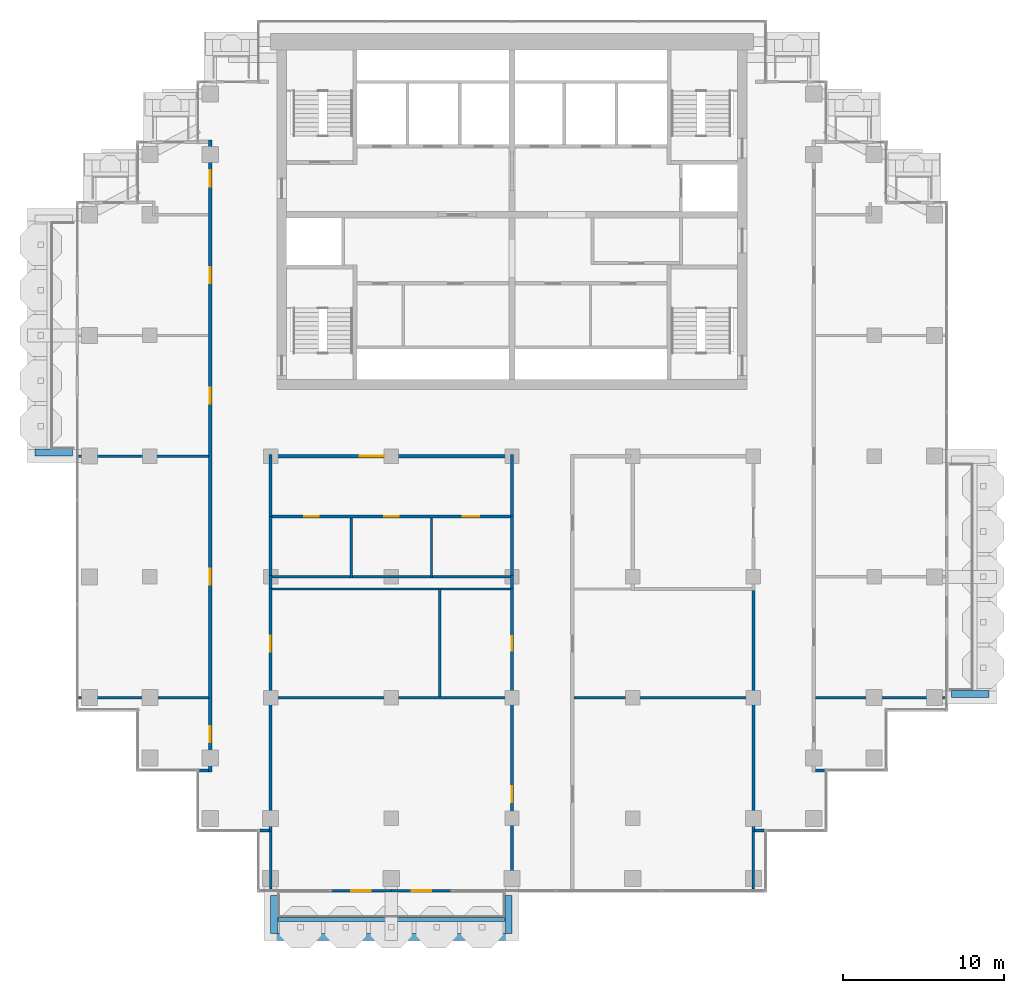
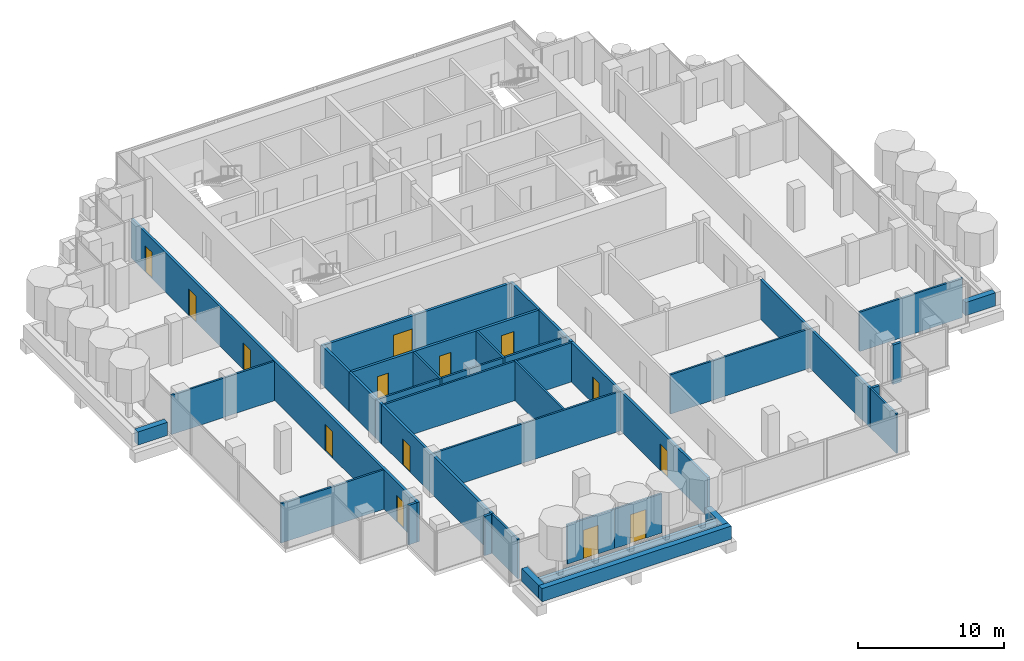
# One storey, part 11 of 18: 39 walls, 14 doors, 14 openings.
"""IFC4 building model written with IfcOpenShell, lengths in metres."""

from ifc_helpers import new_model, si_unit, direction, frame, frame_2d, origin, place, context, subcontext, project, spatial, rectangle, extrude, material, layer, layer_set, type_object, element, fill, save


model = new_model("IFC4")

# Units and contexts
model_context = context("Model", 3, precision=1e-05, world=origin(), true_north=direction((0.0, 1.0)))
body_context = subcontext(model_context, "Body", "Model", "MODEL_VIEW")
ifc_project = project(units=[si_unit("LENGTHUNIT", "METRE"), si_unit("AREAUNIT", "SQUARE_METRE"), si_unit("VOLUMEUNIT", "CUBIC_METRE"), si_unit("PLANEANGLEUNIT", "RADIAN"), si_unit("MASSUNIT", "GRAM", prefix="KILO")], contexts=[model_context])

# Site, building, storey
site_placement = place(None, origin())
site = spatial("IfcSite", under=ifc_project, at=site_placement, CompositionType="ELEMENT")
building_placement = place(site_placement, origin())
building = spatial("IfcBuilding", under=site, at=building_placement, Name="Pilkhan Gate Tower", CompositionType="ELEMENT")
storey_placement = place(building_placement, frame((0.0, 0.0, 199.5)))
storey = spatial("IfcBuildingStorey", under=building, at=storey_placement, Name="L51", CompositionType="ELEMENT", Elevation=199.5)

# Walls
ifc_material_1 = material(Name="Concrete C40/50", Category="concrete")
ifc_layer_1 = layer(ifc_material_1, 0.25)
ifc_layer_set_1 = layer_set([ifc_layer_1], Name="Balcony planter BP250")
wall_type_1 = type_object("IfcWallType", Name="Balcony planter BP250", PredefinedType="USERDEFINED", material=ifc_layer_set_1)
wall_1_placement = place(storey_placement, frame((60.449951171875, 38.72509765625, 0.0), z_axis=(0.0, 0.0, 1.0), x_axis=(1.0, 0.0, 0.0)))
element("IfcWall", 1, at=wall_1_placement, inside=storey, type_object=wall_type_1, Name="Balcony planter L51 S", ObjectType="BALCONY PLANTER", PredefinedType="USERDEFINED", context=body_context, shape_type="SweptSolid", body=[
    extrude(rectangle(XDim=14.10009765625, YDim=0.25, at=frame_2d((7.050048828125, 0.0))), origin(), (0.0, 0.0, 1.0), 1.0),
])
ifc_material_2 = material(Name="Board-marked Concrete C40/50", Category="concrete")
ifc_layer_2 = layer(ifc_material_2, 0.449951171875)
ifc_layer_set_2 = layer_set([ifc_layer_2], Name="Balcony planter lip BL450")
wall_type_2 = type_object("IfcWallType", Name="Balcony planter lip BL450", PredefinedType="USERDEFINED", material=ifc_layer_set_2)
wall_2_placement = place(storey_placement, frame((60.0, 37.625, 0.0), z_axis=(0.0, 0.0, 1.0), x_axis=(1.0, 0.0, 0.0)))
element("IfcWall", 2, at=wall_2_placement, inside=storey, type_object=wall_type_2, Name="Balcony planter L51 S", ObjectType="BALCONY PLANTER", PredefinedType="USERDEFINED", context=body_context, shape_type="SweptSolid", body=[
    extrude(rectangle(XDim=15.0, YDim=0.449951171875, at=frame_2d((7.5, 0.0))), origin(), (0.0, 0.0, 1.0), 1.10009765625),
])
for number, where, z_axis, x_axis, name in (
    (3, (60.22509765625, 40.199951171875, 0.0), (0.0, 0.0, 1.0), (0.0, -1.0, 0.0), "Balcony planter L51 S"),
    (4, (74.77490234375, 40.199951171875, 0.0), (0.0, 0.0, 1.0), (0.0, -1.0, 0.0), "Balcony planter L51 S"),
    (5, (102.300048828125, 52.72509765625, 0.0), (0.0, 0.0, 1.0), (1.0, 0.0, 0.0), "Balcony planter L51 E"),
    (6, (47.699951171875, 67.72509765625, 0.0), (0.0, 0.0, 1.0), (-1.0, 0.0, 0.0), "Balcony planter L51 W"),
):
    element("IfcWall", number, at=place(storey_placement, frame(where, z_axis=z_axis, x_axis=x_axis)), inside=storey, type_object=wall_type_2, Name=name, ObjectType="BALCONY PLANTER", PredefinedType="USERDEFINED", context=body_context, shape_type="SweptSolid", body=[
        extrude(rectangle(XDim=2.349853515625, YDim=0.449951171875, at=frame_2d((1.1748046875, 0.0))), origin(), (0.0, 0.0, 1.0), 1.10009765625),
    ])
ifc_material_3 = material(Name="Dense blockwork", Category="masonry")
ifc_layer_3 = layer(ifc_material_3, 0.199951171875)
ifc_layer_set_3 = layer_set([ifc_layer_3], Name="Corridor wall FW200")
wall_type_3 = type_object("IfcWallType", Name="Corridor wall FW200", PredefinedType="PARTITIONING", material=ifc_layer_set_3)
for number, where, z_axis, x_axis, name in (
    (7, (59.35498046875, 44.235107421875, 0.0), (0.0, 0.0, 1.0), (1.0, 0.0, 0.0), "Partition L51"),
    (8, (90.10009765625, 44.235107421875, 0.0), (0.0, 0.0, 1.0), (1.0, 0.0, 0.0), "Partition L51"),
):
    element("IfcWall", number, at=place(storey_placement, frame(where, z_axis=z_axis, x_axis=x_axis)), inside=storey, type_object=wall_type_3, Name=name, PredefinedType="PARTITIONING", context=body_context, shape_type="SweptSolid", body=[
        extrude(rectangle(XDim=0.544921875, YDim=0.199951171875, at=frame_2d((0.2724609375, 0.0))), origin(), (0.0, 0.0, 1.0), 3.300048828125),
    ])
for number, where, z_axis, x_axis, name in (
    (9, (55.485107421875, 47.969970703125, 0.0), (0.0, 0.0, 1.0), (1.0, 0.0, 0.0), "Partition L51"),
    (10, (93.85009765625, 47.969970703125, 0.0), (0.0, 0.0, 1.0), (1.0, 0.0, 0.0), "Partition L51"),
):
    element("IfcWall", number, at=place(storey_placement, frame(where, z_axis=z_axis, x_axis=x_axis)), inside=storey, type_object=wall_type_3, Name=name, PredefinedType="PARTITIONING", context=body_context, shape_type="SweptSolid", body=[
        extrude(rectangle(XDim=0.664794921875, YDim=0.199951171875, at=frame_2d((0.33251953125, 0.0))), origin(), (0.0, 0.0, 1.0), 3.300048828125),
    ])

# Wall, openings, doors
wall_3_placement = place(storey_placement, frame((56.25, 47.8701171875, 0.0), z_axis=(0.0, 0.0, 1.0), x_axis=(0.0, 1.0, 0.0)))
wall_3 = element("IfcWall", 11, at=wall_3_placement, inside=storey, type_object=wall_type_3, Name="Partition L51", PredefinedType="PARTITIONING", context=body_context, shape_type="SweptSolid", body=[
    extrude(rectangle(XDim=39.259765625, YDim=0.199951171875, at=frame_2d((19.6298828125, 0.0))), origin(), (0.0, 0.0, 1.0), 3.300048828125),
])
opening_1_placement = place(wall_3_placement, frame((1.85009765625, 0.0, 0.0)))
opening_1 = element("IfcOpeningElement", 12, at=opening_1_placement, cuts=wall_3, Name="Opening L51-24", PredefinedType="OPENING", context=body_context, shape_type="SweptSolid", body=[
    extrude(rectangle(XDim=1.0, YDim=2.199951171875, at=frame_2d((0.5, 1.10009765625))), frame((0.0, 0.10986328125, 0.0), z_axis=(0.0, -1.0, 0.0), x_axis=(1.0, 0.0, 0.0)), (0.0, 0.0, 1.0), 0.219970703125),
])
opening_2_placement = place(wall_3_placement, frame((11.6298828125, 0.0, 0.0)))
opening_2 = element("IfcOpeningElement", 13, at=opening_2_placement, cuts=wall_3, Name="Opening L51-25", PredefinedType="OPENING", context=body_context, shape_type="SweptSolid", body=[
    extrude(rectangle(XDim=1.0, YDim=2.199951171875, at=frame_2d((0.5, 1.10009765625))), frame((0.0, 0.10986328125, 0.0), z_axis=(0.0, -1.0, 0.0), x_axis=(1.0, 0.0, 0.0)), (0.0, 0.0, 1.0), 0.219970703125),
])
opening_3_placement = place(wall_3_placement, frame((22.8798828125, 0.0, 0.0)))
opening_3 = element("IfcOpeningElement", 14, at=opening_3_placement, cuts=wall_3, Name="Opening L51-26", PredefinedType="OPENING", context=body_context, shape_type="SweptSolid", body=[
    extrude(rectangle(XDim=1.0, YDim=2.199951171875, at=frame_2d((0.5, 1.10009765625))), frame((0.0, 0.10986328125, 0.0), z_axis=(0.0, -1.0, 0.0), x_axis=(1.0, 0.0, 0.0)), (0.0, 0.0, 1.0), 0.219970703125),
])
opening_4_placement = place(wall_3_placement, frame((30.3798828125, 0.0, 0.0)))
opening_4 = element("IfcOpeningElement", 15, at=opening_4_placement, cuts=wall_3, Name="Opening L51-30", PredefinedType="OPENING", context=body_context, shape_type="SweptSolid", body=[
    extrude(rectangle(XDim=1.0, YDim=2.199951171875, at=frame_2d((0.5, 1.10009765625))), frame((0.0, 0.10986328125, 0.0), z_axis=(0.0, -1.0, 0.0), x_axis=(1.0, 0.0, 0.0)), (0.0, 0.0, 1.0), 0.219970703125),
])
opening_5_placement = place(wall_3_placement, frame((36.3798828125, 0.0, 0.0)))
opening_5 = element("IfcOpeningElement", 16, at=opening_5_placement, cuts=wall_3, Name="Opening L51-31", PredefinedType="OPENING", context=body_context, shape_type="SweptSolid", body=[
    extrude(rectangle(XDim=1.0, YDim=2.199951171875, at=frame_2d((0.5, 1.10009765625))), frame((0.0, 0.10986328125, 0.0), z_axis=(0.0, -1.0, 0.0), x_axis=(1.0, 0.0, 0.0)), (0.0, 0.0, 1.0), 0.219970703125),
])
ifc_material_4 = material(Name="Timber flush door, 30 minute fire resisting", Category="wood")
door_type_1 = type_object("IfcDoorType", Name="Room door D03 1000x2200", OperationType="SINGLE_SWING_LEFT", PredefinedType="DOOR", material=ifc_material_4)
door_1_placement = place(opening_1_placement, origin())
door_1 = element("IfcDoor", 17, at=door_1_placement, inside=storey, type_object=door_type_1, Name="Room door", OperationType="SINGLE_SWING_LEFT", OverallHeight=2.199951171875, OverallWidth=1.0, PredefinedType="DOOR", context=body_context, shape_type="SweptSolid", body=[
    extrude(rectangle(XDim=1.0, YDim=2.199951171875, at=frame_2d((0.5, 1.10009765625))), frame((0.0, 0.02490234375, 0.0), z_axis=(0.0, -1.0, 0.0), x_axis=(1.0, 0.0, 0.0)), (0.0, 0.0, 1.0), 0.050048828125),
])
fill(opening_1, door_1)
door_2_placement = place(opening_2_placement, origin())
door_2 = element("IfcDoor", 18, at=door_2_placement, inside=storey, type_object=door_type_1, Name="Room door", OperationType="SINGLE_SWING_LEFT", OverallHeight=2.199951171875, OverallWidth=1.0, PredefinedType="DOOR", context=body_context, shape_type="SweptSolid", body=[
    extrude(rectangle(XDim=1.0, YDim=2.199951171875, at=frame_2d((0.5, 1.10009765625))), frame((0.0, 0.02490234375, 0.0), z_axis=(0.0, -1.0, 0.0), x_axis=(1.0, 0.0, 0.0)), (0.0, 0.0, 1.0), 0.050048828125),
])
fill(opening_2, door_2)
door_3_placement = place(opening_3_placement, origin())
door_3 = element("IfcDoor", 19, at=door_3_placement, inside=storey, type_object=door_type_1, Name="Room door", OperationType="SINGLE_SWING_LEFT", OverallHeight=2.199951171875, OverallWidth=1.0, PredefinedType="DOOR", context=body_context, shape_type="SweptSolid", body=[
    extrude(rectangle(XDim=1.0, YDim=2.199951171875, at=frame_2d((0.5, 1.10009765625))), frame((0.0, 0.02490234375, 0.0), z_axis=(0.0, -1.0, 0.0), x_axis=(1.0, 0.0, 0.0)), (0.0, 0.0, 1.0), 0.050048828125),
])
fill(opening_3, door_3)
door_4_placement = place(opening_4_placement, origin())
door_4 = element("IfcDoor", 20, at=door_4_placement, inside=storey, type_object=door_type_1, Name="Room door", OperationType="SINGLE_SWING_LEFT", OverallHeight=2.199951171875, OverallWidth=1.0, PredefinedType="DOOR", context=body_context, shape_type="SweptSolid", body=[
    extrude(rectangle(XDim=1.0, YDim=2.199951171875, at=frame_2d((0.5, 1.10009765625))), frame((0.0, 0.02490234375, 0.0), z_axis=(0.0, -1.0, 0.0), x_axis=(1.0, 0.0, 0.0)), (0.0, 0.0, 1.0), 0.050048828125),
])
fill(opening_4, door_4)
door_5_placement = place(opening_5_placement, origin())
door_5 = element("IfcDoor", 21, at=door_5_placement, inside=storey, type_object=door_type_1, Name="Room door", OperationType="SINGLE_SWING_LEFT", OverallHeight=2.199951171875, OverallWidth=1.0, PredefinedType="DOOR", context=body_context, shape_type="SweptSolid", body=[
    extrude(rectangle(XDim=1.0, YDim=2.199951171875, at=frame_2d((0.5, 1.10009765625))), frame((0.0, 0.02490234375, 0.0), z_axis=(0.0, -1.0, 0.0), x_axis=(1.0, 0.0, 0.0)), (0.0, 0.0, 1.0), 0.050048828125),
])
fill(opening_5, door_5)

# Wall, opening, door
wall_4_placement = place(storey_placement, frame((60.0, 44.135009765625, 0.0), z_axis=(0.0, 0.0, 1.0), x_axis=(0.0, 1.0, 0.0)))
wall_4 = element("IfcWall", 22, at=wall_4_placement, inside=storey, type_object=wall_type_3, Name="Partition L51", PredefinedType="PARTITIONING", context=body_context, shape_type="SweptSolid", body=[
    extrude(rectangle(XDim=15.18994140625, YDim=0.199951171875, at=frame_2d((7.594970703125, 0.0))), origin(), (0.0, 0.0, 1.0), 3.300048828125),
])
opening_6_placement = place(wall_4_placement, frame((11.215087890625, 0.0, 0.0)))
opening_6 = element("IfcOpeningElement", 23, at=opening_6_placement, cuts=wall_4, Name="Opening L51-18", PredefinedType="OPENING", context=body_context, shape_type="SweptSolid", body=[
    extrude(rectangle(XDim=1.0, YDim=2.199951171875, at=frame_2d((0.5, 1.10009765625))), frame((0.0, 0.10986328125, 0.0), z_axis=(0.0, -1.0, 0.0), x_axis=(1.0, 0.0, 0.0)), (0.0, 0.0, 1.0), 0.219970703125),
])
door_6_placement = place(opening_6_placement, origin())
door_6 = element("IfcDoor", 24, at=door_6_placement, inside=storey, type_object=door_type_1, Name="Room door", OperationType="SINGLE_SWING_RIGHT", OverallHeight=2.199951171875, OverallWidth=1.0, PredefinedType="DOOR", context=body_context, shape_type="SweptSolid", body=[
    extrude(rectangle(XDim=1.0, YDim=2.199951171875, at=frame_2d((0.5, 1.10009765625))), frame((0.0, 0.02490234375, 0.0), z_axis=(0.0, -1.0, 0.0), x_axis=(1.0, 0.0, 0.0)), (0.0, 0.0, 1.0), 0.050048828125),
])
fill(opening_6, door_6)

# Walls
wall_5_placement = place(storey_placement, frame((60.0, 59.280029296875, 0.0), z_axis=(0.0, 0.0, 1.0), x_axis=(0.0, 1.0, 0.0)))
element("IfcWall", 25, at=wall_5_placement, inside=storey, type_object=wall_type_3, Name="Partition L51", PredefinedType="PARTITIONING", context=body_context, shape_type="SweptSolid", body=[
    extrude(rectangle(XDim=0.794921875, YDim=0.199951171875, at=frame_2d((0.3974609375, 0.0))), origin(), (0.0, 0.0, 1.0), 3.300048828125),
])
wall_6_placement = place(storey_placement, frame((60.0, 60.0, 0.0), z_axis=(0.0, 0.0, 1.0), x_axis=(0.0, 1.0, 0.0)))
element("IfcWall", 26, at=wall_6_placement, inside=storey, type_object=wall_type_3, Name="Partition L51", PredefinedType="PARTITIONING", context=body_context, shape_type="SweptSolid", body=[
    extrude(rectangle(XDim=3.75, YDim=0.199951171875, at=frame_2d((1.875, 0.0))), origin(), (0.0, 0.0, 1.0), 3.300048828125),
])

# Wall, openings, doors
wall_7_placement = place(storey_placement, frame((75.0, 40.485107421875, 0.0), z_axis=(0.0, 0.0, 1.0), x_axis=(0.0, 1.0, 0.0)))
wall_7 = element("IfcWall", 27, at=wall_7_placement, inside=storey, type_object=wall_type_3, Name="Partition L51", PredefinedType="PARTITIONING", context=body_context, shape_type="SweptSolid", body=[
    extrude(rectangle(XDim=18.83984375, YDim=0.199951171875, at=frame_2d((9.419921875, 0.0))), origin(), (0.0, 0.0, 1.0), 3.300048828125),
])
opening_7_placement = place(wall_7_placement, frame((5.5, 0.0, 0.0)))
opening_7 = element("IfcOpeningElement", 28, at=opening_7_placement, cuts=wall_7, Name="Opening L51-17", PredefinedType="OPENING", context=body_context, shape_type="SweptSolid", body=[
    extrude(rectangle(XDim=1.0, YDim=2.199951171875, at=frame_2d((0.5, 1.10009765625))), frame((0.0, 0.10986328125, 0.0), z_axis=(0.0, -1.0, 0.0), x_axis=(1.0, 0.0, 0.0)), (0.0, 0.0, 1.0), 0.219970703125),
])
opening_8_placement = place(wall_7_placement, frame((14.9150390625, 0.0, 0.0)))
opening_8 = element("IfcOpeningElement", 29, at=opening_8_placement, cuts=wall_7, Name="Opening L51-19", PredefinedType="OPENING", context=body_context, shape_type="SweptSolid", body=[
    extrude(rectangle(XDim=0.89990234375, YDim=2.199951171875, at=frame_2d((0.449951171875, 1.10009765625))), frame((0.0, 0.10986328125, 0.0), z_axis=(0.0, -1.0, 0.0), x_axis=(1.0, 0.0, 0.0)), (0.0, 0.0, 1.0), 0.219970703125),
])
door_7_placement = place(opening_7_placement, origin())
door_7 = element("IfcDoor", 30, at=door_7_placement, inside=storey, type_object=door_type_1, Name="Room door", OperationType="SINGLE_SWING_LEFT", OverallHeight=2.199951171875, OverallWidth=1.0, PredefinedType="DOOR", context=body_context, shape_type="SweptSolid", body=[
    extrude(rectangle(XDim=1.0, YDim=2.199951171875, at=frame_2d((0.5, 1.10009765625))), frame((0.0, 0.02490234375, 0.0), z_axis=(0.0, -1.0, 0.0), x_axis=(1.0, 0.0, 0.0)), (0.0, 0.0, 1.0), 0.050048828125),
])
fill(opening_7, door_7)
ifc_material_5 = material(Name="Timber flush door, 60 minute fire resisting, self-closing", Category="wood")
door_type_2 = type_object("IfcDoorType", Name="Store door D05 900x2200", OperationType="SINGLE_SWING_LEFT", PredefinedType="DOOR", material=ifc_material_5)
door_8_placement = place(opening_8_placement, origin())
door_8 = element("IfcDoor", 31, at=door_8_placement, inside=storey, type_object=door_type_2, Name="Store door", OperationType="SINGLE_SWING_LEFT", OverallHeight=2.199951171875, OverallWidth=0.89990234375, PredefinedType="DOOR", context=body_context, shape_type="SweptSolid", body=[
    extrude(rectangle(XDim=0.89990234375, YDim=2.199951171875, at=frame_2d((0.449951171875, 1.10009765625))), frame((0.0, 0.02490234375, 0.0), z_axis=(0.0, -1.0, 0.0), x_axis=(1.0, 0.0, 0.0)), (0.0, 0.0, 1.0), 0.050048828125),
])
fill(opening_8, door_8)

# Walls
wall_8_placement = place(storey_placement, frame((75.0, 59.280029296875, 0.0), z_axis=(0.0, 0.0, 1.0), x_axis=(0.0, 1.0, 0.0)))
element("IfcWall", 32, at=wall_8_placement, inside=storey, type_object=wall_type_3, Name="Partition L51", PredefinedType="PARTITIONING", context=body_context, shape_type="SweptSolid", body=[
    extrude(rectangle(XDim=0.794921875, YDim=0.199951171875, at=frame_2d((0.3974609375, 0.0))), origin(), (0.0, 0.0, 1.0), 3.300048828125),
])
wall_9_placement = place(storey_placement, frame((75.0, 60.0, 0.0), z_axis=(0.0, 0.0, 1.0), x_axis=(0.0, 1.0, 0.0)))
element("IfcWall", 33, at=wall_9_placement, inside=storey, type_object=wall_type_3, Name="Partition L51", PredefinedType="PARTITIONING", context=body_context, shape_type="SweptSolid", body=[
    extrude(rectangle(XDim=3.75, YDim=0.199951171875, at=frame_2d((1.875, 0.0))), origin(), (0.0, 0.0, 1.0), 3.300048828125),
])
wall_10_placement = place(storey_placement, frame((90.0, 44.135009765625, 0.0), z_axis=(0.0, 0.0, 1.0), x_axis=(0.0, 1.0, 0.0)))
element("IfcWall", 34, at=wall_10_placement, inside=storey, type_object=wall_type_3, Name="Partition L51", PredefinedType="PARTITIONING", context=body_context, shape_type="SweptSolid", body=[
    extrude(rectangle(XDim=15.114990234375, YDim=0.199951171875, at=frame_2d((7.5576171875, 0.0))), origin(), (0.0, 0.0, 1.0), 3.300048828125),
])

# Wall, opening, door
ifc_material_6 = material(Name="Pale anodised aluminium, clear laminated glazing", Category="aluminium")
ifc_layer_4 = layer(ifc_material_6, 0.14990234375)
ifc_layer_set_4 = layer_set([ifc_layer_4], Name="Facade infill wall IW150")
wall_type_4 = type_object("IfcWallType", Name="Facade infill wall IW150", PredefinedType="SOLIDWALL", material=ifc_layer_set_4)
wall_11_placement = place(storey_placement, frame((63.75, 40.5, 0.0), z_axis=(0.0, 0.0, 1.0), x_axis=(1.0, 0.0, 0.0)))
wall_11 = element("IfcWall", 35, at=wall_11_placement, inside=storey, type_object=wall_type_4, Name="Infill wall L51 S", PredefinedType="SOLIDWALL", context=body_context, shape_type="SweptSolid", body=[
    extrude(rectangle(XDim=3.75, YDim=0.14990234375, at=frame_2d((1.875, 0.0))), origin(), (0.0, 0.0, 1.0), 3.300048828125),
])
opening_9_placement = place(wall_11_placement, frame((1.27490234375, 0.0, 0.0)))
opening_9 = element("IfcOpeningElement", 36, at=opening_9_placement, cuts=wall_11, Name="Opening D1", PredefinedType="OPENING", context=body_context, shape_type="SweptSolid", body=[
    extrude(rectangle(XDim=1.199951171875, YDim=2.39990234375, at=frame_2d((0.60009765625, 1.199951171875))), frame((0.0, 0.0849609375, 0.0), z_axis=(0.0, -1.0, 0.0), x_axis=(1.0, 0.0, 0.0)), (0.0, 0.0, 1.0), 0.169921875),
])
ifc_material_7 = material(Name="Pale anodised aluminium, clear glazing", Category="aluminium")
door_type_3 = type_object("IfcDoorType", Name="Balcony door D1 1200x2400", OperationType="SINGLE_SWING_LEFT", PredefinedType="DOOR", material=ifc_material_7)
door_9_placement = place(opening_9_placement, origin())
door_9 = element("IfcDoor", 37, at=door_9_placement, inside=storey, type_object=door_type_3, Name="Balcony door L51", OperationType="SINGLE_SWING_LEFT", OverallHeight=2.39990234375, OverallWidth=1.199951171875, PredefinedType="DOOR", context=body_context, shape_type="SweptSolid", body=[
    extrude(rectangle(XDim=1.199951171875, YDim=2.39990234375, at=frame_2d((0.60009765625, 1.199951171875))), frame((0.0, 0.02490234375, 0.0), z_axis=(0.0, -1.0, 0.0), x_axis=(1.0, 0.0, 0.0)), (0.0, 0.0, 1.0), 0.050048828125),
])
fill(opening_9, door_9)

wall_12_placement = place(storey_placement, frame((67.5, 40.5, 0.0), z_axis=(0.0, 0.0, 1.0), x_axis=(1.0, 0.0, 0.0)))
wall_12 = element("IfcWall", 38, at=wall_12_placement, inside=storey, type_object=wall_type_4, Name="Infill wall L51 S", PredefinedType="SOLIDWALL", context=body_context, shape_type="SweptSolid", body=[
    extrude(rectangle(XDim=3.75, YDim=0.14990234375, at=frame_2d((1.875, 0.0))), origin(), (0.0, 0.0, 1.0), 3.300048828125),
])
opening_10_placement = place(wall_12_placement, frame((1.27490234375, 0.0, 0.0)))
opening_10 = element("IfcOpeningElement", 39, at=opening_10_placement, cuts=wall_12, Name="Opening D1", PredefinedType="OPENING", context=body_context, shape_type="SweptSolid", body=[
    extrude(rectangle(XDim=1.199951171875, YDim=2.39990234375, at=frame_2d((0.60009765625, 1.199951171875))), frame((0.0, 0.0849609375, 0.0), z_axis=(0.0, -1.0, 0.0), x_axis=(1.0, 0.0, 0.0)), (0.0, 0.0, 1.0), 0.169921875),
])
door_10_placement = place(opening_10_placement, origin())
door_10 = element("IfcDoor", 40, at=door_10_placement, inside=storey, type_object=door_type_3, Name="Balcony door L51", OperationType="SINGLE_SWING_LEFT", OverallHeight=2.39990234375, OverallWidth=1.199951171875, PredefinedType="DOOR", context=body_context, shape_type="SweptSolid", body=[
    extrude(rectangle(XDim=1.199951171875, YDim=2.39990234375, at=frame_2d((0.60009765625, 1.199951171875))), frame((0.0, 0.02490234375, 0.0), z_axis=(0.0, -1.0, 0.0), x_axis=(1.0, 0.0, 0.0)), (0.0, 0.0, 1.0), 0.050048828125),
])
fill(opening_10, door_10)

# Wall, openings, doors
ifc_layer_5 = layer(ifc_material_3, 0.199951171875)
ifc_layer_set_5 = layer_set([ifc_layer_5], Name="Lobby wall LW200")
wall_type_5 = type_object("IfcWallType", Name="Lobby wall LW200", PredefinedType="PARTITIONING", material=ifc_layer_set_5)
wall_13_placement = place(storey_placement, frame((60.10009765625, 63.75, 0.0), z_axis=(0.0, 0.0, 1.0), x_axis=(1.0, 0.0, 0.0)))
wall_13 = element("IfcWall", 41, at=wall_13_placement, inside=storey, type_object=wall_type_5, Name="Partition L51", PredefinedType="PARTITIONING", context=body_context, shape_type="SweptSolid", body=[
    extrude(rectangle(XDim=14.7998046875, YDim=0.199951171875, at=frame_2d((7.39990234375, 0.0))), origin(), (0.0, 0.0, 1.0), 3.300048828125),
])
opening_11_placement = place(wall_13_placement, frame((2.0, 0.0, 0.0)))
opening_11 = element("IfcOpeningElement", 42, at=opening_11_placement, cuts=wall_13, Name="Opening L51-14", PredefinedType="OPENING", context=body_context, shape_type="SweptSolid", body=[
    extrude(rectangle(XDim=0.89990234375, YDim=2.199951171875, at=frame_2d((0.449951171875, 1.10009765625))), frame((0.0, 0.10986328125, 0.0), z_axis=(0.0, -1.0, 0.0), x_axis=(1.0, 0.0, 0.0)), (0.0, 0.0, 1.0), 0.219970703125),
])
opening_12_placement = place(wall_13_placement, frame((6.949951171875, 0.0, 0.0)))
opening_12 = element("IfcOpeningElement", 43, at=opening_12_placement, cuts=wall_13, Name="Opening L51-15", PredefinedType="OPENING", context=body_context, shape_type="SweptSolid", body=[
    extrude(rectangle(XDim=0.89990234375, YDim=2.199951171875, at=frame_2d((0.449951171875, 1.10009765625))), frame((0.0, 0.10986328125, 0.0), z_axis=(0.0, -1.0, 0.0), x_axis=(1.0, 0.0, 0.0)), (0.0, 0.0, 1.0), 0.219970703125),
])
opening_13_placement = place(wall_13_placement, frame((11.85009765625, 0.0, 0.0)))
opening_13 = element("IfcOpeningElement", 44, at=opening_13_placement, cuts=wall_13, Name="Opening L51-16", PredefinedType="OPENING", context=body_context, shape_type="SweptSolid", body=[
    extrude(rectangle(XDim=1.0, YDim=2.199951171875, at=frame_2d((0.5, 1.10009765625))), frame((0.0, 0.10986328125, 0.0), z_axis=(0.0, -1.0, 0.0), x_axis=(1.0, 0.0, 0.0)), (0.0, 0.0, 1.0), 0.219970703125),
])
ifc_material_8 = material(Name="Timber flush door, outward opening, 30 minute fire resisting", Category="wood")
door_type_4 = type_object("IfcDoorType", Name="Accessible toilet door D07 1000x2200", OperationType="SINGLE_SWING_LEFT", PredefinedType="DOOR", material=ifc_material_8)
door_11_placement = place(opening_13_placement, origin())
door_11 = element("IfcDoor", 45, at=door_11_placement, inside=storey, type_object=door_type_4, Name="Accessible toilet door", OperationType="SINGLE_SWING_LEFT", OverallHeight=2.199951171875, OverallWidth=1.0, PredefinedType="DOOR", context=body_context, shape_type="SweptSolid", body=[
    extrude(rectangle(XDim=1.0, YDim=2.199951171875, at=frame_2d((0.5, 1.10009765625))), frame((0.0, 0.02490234375, 0.0), z_axis=(0.0, -1.0, 0.0), x_axis=(1.0, 0.0, 0.0)), (0.0, 0.0, 1.0), 0.050048828125),
])
fill(opening_13, door_11)
door_type_5 = type_object("IfcDoorType", Name="Toilet door D06 900x2200", OperationType="SINGLE_SWING_LEFT", PredefinedType="DOOR", material=ifc_material_4)
door_12_placement = place(opening_11_placement, origin())
door_12 = element("IfcDoor", 46, at=door_12_placement, inside=storey, type_object=door_type_5, Name="Toilet door", OperationType="SINGLE_SWING_LEFT", OverallHeight=2.199951171875, OverallWidth=0.89990234375, PredefinedType="DOOR", context=body_context, shape_type="SweptSolid", body=[
    extrude(rectangle(XDim=0.89990234375, YDim=2.199951171875, at=frame_2d((0.449951171875, 1.10009765625))), frame((0.0, 0.02490234375, 0.0), z_axis=(0.0, -1.0, 0.0), x_axis=(1.0, 0.0, 0.0)), (0.0, 0.0, 1.0), 0.050048828125),
])
fill(opening_11, door_12)
door_13_placement = place(opening_12_placement, origin())
door_13 = element("IfcDoor", 47, at=door_13_placement, inside=storey, type_object=door_type_5, Name="Toilet door", OperationType="SINGLE_SWING_RIGHT", OverallHeight=2.199951171875, OverallWidth=0.89990234375, PredefinedType="DOOR", context=body_context, shape_type="SweptSolid", body=[
    extrude(rectangle(XDim=0.89990234375, YDim=2.199951171875, at=frame_2d((0.449951171875, 1.10009765625))), frame((0.0, 0.02490234375, 0.0), z_axis=(0.0, -1.0, 0.0), x_axis=(1.0, 0.0, 0.0)), (0.0, 0.0, 1.0), 0.050048828125),
])
fill(opening_12, door_13)

# Wall, opening, door
wall_14_placement = place(storey_placement, frame((60.10009765625, 67.5, 0.0), z_axis=(0.0, 0.0, 1.0), x_axis=(1.0, 0.0, 0.0)))
wall_14 = element("IfcWall", 48, at=wall_14_placement, inside=storey, type_object=wall_type_5, Name="Partition L51", PredefinedType="PARTITIONING", context=body_context, shape_type="SweptSolid", body=[
    extrude(rectangle(XDim=14.7998046875, YDim=0.199951171875, at=frame_2d((7.39990234375, 0.0))), origin(), (0.0, 0.0, 1.0), 3.300048828125),
])
opening_14_placement = place(wall_14_placement, frame((5.449951171875, 0.0, 0.0)))
opening_14 = element("IfcOpeningElement", 49, at=opening_14_placement, cuts=wall_14, Name="Opening L51-13", PredefinedType="OPENING", context=body_context, shape_type="SweptSolid", body=[
    extrude(rectangle(XDim=1.5, YDim=2.199951171875, at=frame_2d((0.75, 1.10009765625))), frame((0.0, 0.10986328125, 0.0), z_axis=(0.0, -1.0, 0.0), x_axis=(1.0, 0.0, 0.0)), (0.0, 0.0, 1.0), 0.219970703125),
])
ifc_material_9 = material(Name="Steel framed glazed door, 60 minute fire resisting", Category="steel")
door_type_6 = type_object("IfcDoorType", Name="Lobby door D09 1500x2200", OperationType="DOUBLE_DOOR_SINGLE_SWING", PredefinedType="DOOR", material=ifc_material_9)
door_14_placement = place(opening_14_placement, origin())
door_14 = element("IfcDoor", 50, at=door_14_placement, inside=storey, type_object=door_type_6, Name="Lobby door", OperationType="DOUBLE_DOOR_SINGLE_SWING", OverallHeight=2.199951171875, OverallWidth=1.5, PredefinedType="DOOR", context=body_context, shape_type="SweptSolid", body=[
    extrude(rectangle(XDim=1.5, YDim=2.199951171875, at=frame_2d((0.75, 1.10009765625))), frame((0.0, 0.02490234375, 0.0), z_axis=(0.0, -1.0, 0.0), x_axis=(1.0, 0.0, 0.0)), (0.0, 0.0, 1.0), 0.050048828125),
])
fill(opening_14, door_14)

# Walls
for number, where, z_axis, x_axis, name in (
    (51, (60.0, 63.64990234375, 0.0), (0.0, 0.0, 1.0), (0.0, 1.0, 0.0), "Partition L51"),
    (52, (75.0, 63.64990234375, 0.0), (0.0, 0.0, 1.0), (0.0, 1.0, 0.0), "Partition L51"),
):
    element("IfcWall", number, at=place(storey_placement, frame(where, z_axis=z_axis, x_axis=x_axis)), inside=storey, type_object=wall_type_5, Name=name, PredefinedType="PARTITIONING", context=body_context, shape_type="SweptSolid", body=[
        extrude(rectangle(XDim=3.9501953125, YDim=0.199951171875, at=frame_2d((1.97509765625, 0.0))), origin(), (0.0, 0.0, 1.0), 3.300048828125),
    ])
ifc_material_10 = material(Name="Blockwork partition, plastered both sides", Category="masonry")
ifc_layer_6 = layer(ifc_material_10, 0.14990234375)
ifc_layer_set_6 = layer_set([ifc_layer_6], Name="Partition PW150")
wall_type_6 = type_object("IfcWallType", Name="Partition PW150", PredefinedType="PARTITIONING", material=ifc_layer_set_6)
wall_15_placement = place(storey_placement, frame((47.985107421875, 52.5, 0.0), z_axis=(0.0, 0.0, 1.0), x_axis=(1.0, 0.0, 0.0)))
element("IfcWall", 53, at=wall_15_placement, inside=storey, type_object=wall_type_6, Name="Partition L51", PredefinedType="PARTITIONING", context=body_context, shape_type="SweptSolid", body=[
    extrude(rectangle(XDim=8.164794921875, YDim=0.14990234375, at=frame_2d((4.08251953125, 0.0))), origin(), (0.0, 0.0, 1.0), 3.300048828125),
])
wall_16_placement = place(storey_placement, frame((60.10009765625, 52.5, 0.0), z_axis=(0.0, 0.0, 1.0), x_axis=(1.0, 0.0, 0.0)))
element("IfcWall", 54, at=wall_16_placement, inside=storey, type_object=wall_type_6, Name="Partition L51", PredefinedType="PARTITIONING", context=body_context, shape_type="SweptSolid", body=[
    extrude(rectangle(XDim=14.7998046875, YDim=0.14990234375, at=frame_2d((7.39990234375, 0.0))), origin(), (0.0, 0.0, 1.0), 3.300048828125),
])
wall_17_placement = place(storey_placement, frame((78.85009765625, 52.5, 0.0), z_axis=(0.0, 0.0, 1.0), x_axis=(1.0, 0.0, 0.0)))
element("IfcWall", 55, at=wall_17_placement, inside=storey, type_object=wall_type_6, Name="Partition L51", PredefinedType="PARTITIONING", context=body_context, shape_type="SweptSolid", body=[
    extrude(rectangle(XDim=11.0498046875, YDim=0.14990234375, at=frame_2d((5.52490234375, 0.0))), origin(), (0.0, 0.0, 1.0), 3.300048828125),
])
wall_18_placement = place(storey_placement, frame((93.85009765625, 52.5, 0.0), z_axis=(0.0, 0.0, 1.0), x_axis=(1.0, 0.0, 0.0)))
element("IfcWall", 56, at=wall_18_placement, inside=storey, type_object=wall_type_6, Name="Partition L51", PredefinedType="PARTITIONING", context=body_context, shape_type="SweptSolid", body=[
    extrude(rectangle(XDim=8.164794921875, YDim=0.14990234375, at=frame_2d((4.08251953125, 0.0))), origin(), (0.0, 0.0, 1.0), 3.300048828125),
])
wall_19_placement = place(storey_placement, frame((60.10009765625, 59.25, 0.0), z_axis=(0.0, 0.0, 1.0), x_axis=(1.0, 0.0, 0.0)))
element("IfcWall", 57, at=wall_19_placement, inside=storey, type_object=wall_type_6, Name="Partition L51", PredefinedType="PARTITIONING", context=body_context, shape_type="SweptSolid", body=[
    extrude(rectangle(XDim=10.324951171875, YDim=0.14990234375, at=frame_2d((5.16259765625, 0.0))), origin(), (0.0, 0.0, 1.0), 3.300048828125),
])
wall_20_placement = place(storey_placement, frame((70.574951171875, 59.25, 0.0), z_axis=(0.0, 0.0, 1.0), x_axis=(1.0, 0.0, 0.0)))
element("IfcWall", 58, at=wall_20_placement, inside=storey, type_object=wall_type_6, Name="Partition L51", PredefinedType="PARTITIONING", context=body_context, shape_type="SweptSolid", body=[
    extrude(rectangle(XDim=4.324951171875, YDim=0.14990234375, at=frame_2d((2.16259765625, 0.0))), origin(), (0.0, 0.0, 1.0), 3.300048828125),
])
wall_21_placement = place(storey_placement, frame((60.10009765625, 60.0, 0.0), z_axis=(0.0, 0.0, 1.0), x_axis=(1.0, 0.0, 0.0)))
element("IfcWall", 59, at=wall_21_placement, inside=storey, type_object=wall_type_6, Name="Partition L51", PredefinedType="PARTITIONING", context=body_context, shape_type="SweptSolid", body=[
    extrude(rectangle(XDim=4.824951171875, YDim=0.14990234375, at=frame_2d((2.41259765625, 0.0))), origin(), (0.0, 0.0, 1.0), 3.300048828125),
])
wall_22_placement = place(storey_placement, frame((65.074951171875, 60.0, 0.0), z_axis=(0.0, 0.0, 1.0), x_axis=(1.0, 0.0, 0.0)))
element("IfcWall", 60, at=wall_22_placement, inside=storey, type_object=wall_type_6, Name="Partition L51", PredefinedType="PARTITIONING", context=body_context, shape_type="SweptSolid", body=[
    extrude(rectangle(XDim=4.85009765625, YDim=0.14990234375, at=frame_2d((2.425048828125, 0.0))), origin(), (0.0, 0.0, 1.0), 3.300048828125),
])
wall_23_placement = place(storey_placement, frame((70.074951171875, 60.0, 0.0), z_axis=(0.0, 0.0, 1.0), x_axis=(1.0, 0.0, 0.0)))
element("IfcWall", 61, at=wall_23_placement, inside=storey, type_object=wall_type_6, Name="Partition L51", PredefinedType="PARTITIONING", context=body_context, shape_type="SweptSolid", body=[
    extrude(rectangle(XDim=4.824951171875, YDim=0.14990234375, at=frame_2d((2.41259765625, 0.0))), origin(), (0.0, 0.0, 1.0), 3.300048828125),
])
wall_24_placement = place(storey_placement, frame((47.985107421875, 67.5, 0.0), z_axis=(0.0, 0.0, 1.0), x_axis=(1.0, 0.0, 0.0)))
element("IfcWall", 62, at=wall_24_placement, inside=storey, type_object=wall_type_6, Name="Partition L51", PredefinedType="PARTITIONING", context=body_context, shape_type="SweptSolid", body=[
    extrude(rectangle(XDim=8.164794921875, YDim=0.14990234375, at=frame_2d((4.08251953125, 0.0))), origin(), (0.0, 0.0, 1.0), 3.300048828125),
])
wall_25_placement = place(storey_placement, frame((60.0, 40.60498046875, 0.0), z_axis=(0.0, 0.0, 1.0), x_axis=(0.0, 1.0, 0.0)))
element("IfcWall", 63, at=wall_25_placement, inside=storey, type_object=wall_type_6, Name="Partition L51", PredefinedType="PARTITIONING", context=body_context, shape_type="SweptSolid", body=[
    extrude(rectangle(XDim=3.60009765625, YDim=0.14990234375, at=frame_2d((1.800048828125, 0.0))), origin(), (0.0, 0.0, 1.0), 3.300048828125),
])
for number, where, z_axis, x_axis, name in (
    (64, (65.0, 59.925048828125, 0.0), (0.0, 0.0, 1.0), (0.0, 1.0, 0.0), "Partition L51"),
    (65, (70.0, 59.925048828125, 0.0), (0.0, 0.0, 1.0), (0.0, 1.0, 0.0), "Partition L51"),
):
    element("IfcWall", number, at=place(storey_placement, frame(where, z_axis=z_axis, x_axis=x_axis)), inside=storey, type_object=wall_type_6, Name=name, PredefinedType="PARTITIONING", context=body_context, shape_type="SweptSolid", body=[
        extrude(rectangle(XDim=3.724853515625, YDim=0.14990234375, at=frame_2d((1.8623046875, 0.0))), origin(), (0.0, 0.0, 1.0), 3.300048828125),
    ])
wall_26_placement = place(storey_placement, frame((70.5, 52.574951171875, 0.0), z_axis=(0.0, 0.0, 1.0), x_axis=(0.0, 1.0, 0.0)))
element("IfcWall", 66, at=wall_26_placement, inside=storey, type_object=wall_type_6, Name="Partition L51", PredefinedType="PARTITIONING", context=body_context, shape_type="SweptSolid", body=[
    extrude(rectangle(XDim=6.75, YDim=0.14990234375, at=frame_2d((3.375, 0.0))), origin(), (0.0, 0.0, 1.0), 3.300048828125),
])
wall_27_placement = place(storey_placement, frame((90.0, 40.60498046875, 0.0), z_axis=(0.0, 0.0, 1.0), x_axis=(0.0, 1.0, 0.0)))
element("IfcWall", 67, at=wall_27_placement, inside=storey, type_object=wall_type_6, Name="Partition L51", PredefinedType="PARTITIONING", context=body_context, shape_type="SweptSolid", body=[
    extrude(rectangle(XDim=3.60009765625, YDim=0.14990234375, at=frame_2d((1.800048828125, 0.0))), origin(), (0.0, 0.0, 1.0), 3.300048828125),
])

save(model, "model.ifc")
